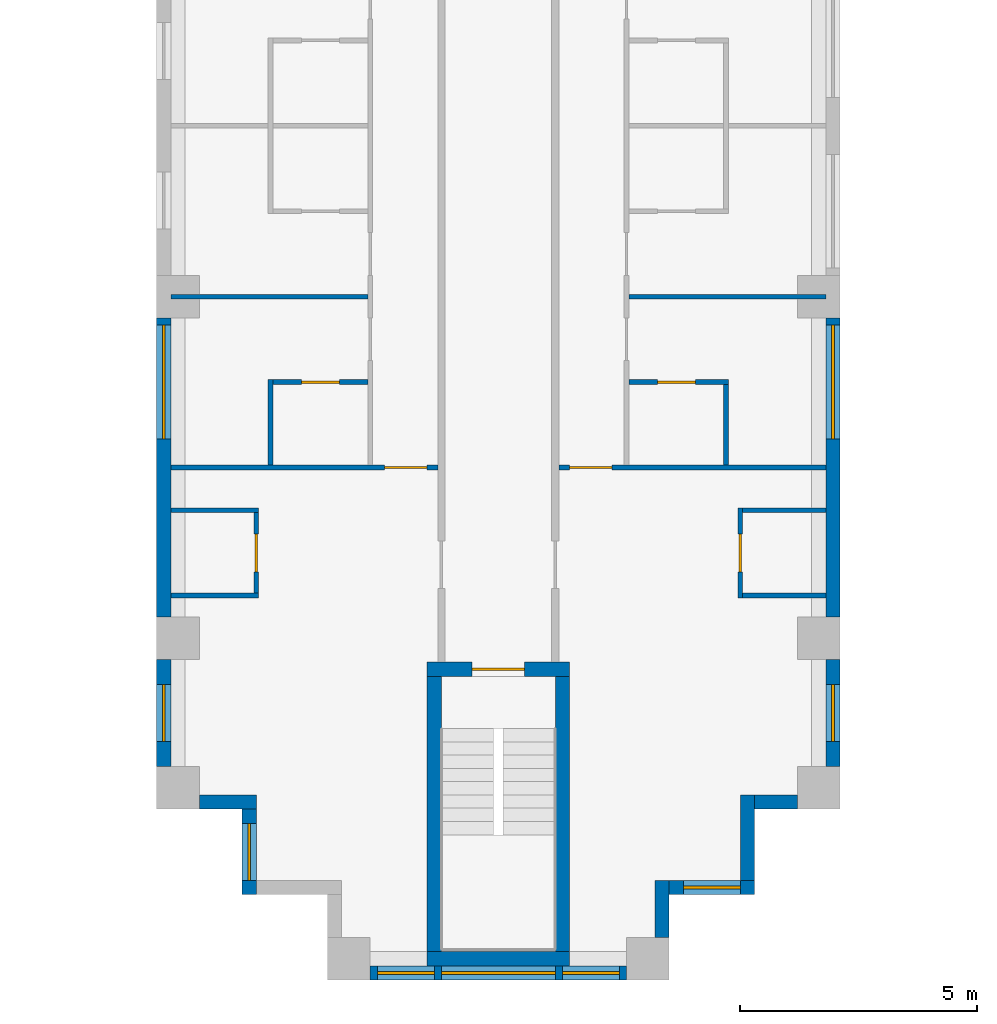
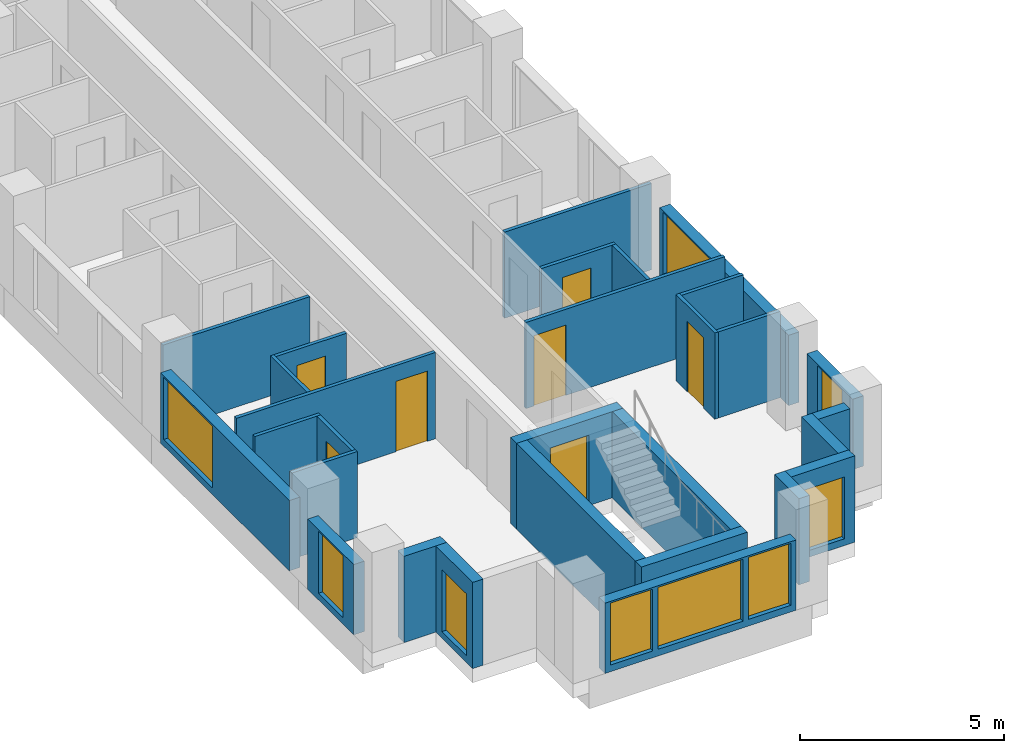
# One storey, part 3 of 14: 29 walls, 9 windows, 7 doors, 16 openings.
"""IFC4 building model written with IfcOpenShell, lengths in metres."""

from ifc_helpers import new_model, si_unit, direction, frame, frame_2d, origin, place, context, subcontext, project, spatial, rectangle, extrude, material, layer, layer_set, type_object, element, fill, save


model = new_model("IFC4")

# Units and contexts
model_context = context("Model", 3, precision=1e-05, world=origin(), true_north=direction((0.0, 1.0)))
body_context = subcontext(model_context, "Body", "Model", "MODEL_VIEW")
ifc_project = project(units=[si_unit("LENGTHUNIT", "METRE"), si_unit("AREAUNIT", "SQUARE_METRE"), si_unit("VOLUMEUNIT", "CUBIC_METRE"), si_unit("PLANEANGLEUNIT", "RADIAN"), si_unit("MASSUNIT", "GRAM", prefix="KILO")], contexts=[model_context])

# Site, building, storey
site_placement = place(None, origin())
site = spatial("IfcSite", under=ifc_project, at=site_placement, CompositionType="ELEMENT")
building_placement = place(site_placement, origin())
building = spatial("IfcBuilding", under=site, at=building_placement, Name="Fustian Cross Tower", CompositionType="ELEMENT")
storey_placement = place(building_placement, frame((0.0, 0.0, 99.89990234375)))
storey = spatial("IfcBuildingStorey", under=building, at=storey_placement, Name="L31", CompositionType="ELEMENT", Elevation=99.89990234375)

# Walls
ifc_material_1 = material(Name="Plasterboard on steel stud", Category="steel")
ifc_layer_1 = layer(ifc_material_1, 0.10009765625)
ifc_layer_set_1 = layer_set([ifc_layer_1], Name="Plasterboard on steel stud")
wall_type_1 = type_object("IfcWallType", Name="PARTITION 100 STUD", PredefinedType="PARTITIONING", material=ifc_layer_set_1)
for number, where, z_axis, x_axis, name in (
    (1, (-6.89990234375, -35.10009765625, 0.0), (0.0, 0.0, 1.0), (1.0, 0.0, 0.0), "Partition 15"),
    (2, (-6.89990234375, -33.300048828125, 0.0), (0.0, 0.0, 1.0), (1.0, 0.0, 0.0), "Partition 16"),
):
    element("IfcWall", number, at=place(storey_placement, frame(where, z_axis=z_axis, x_axis=x_axis)), inside=storey, type_object=wall_type_1, Name=name, PredefinedType="PARTITIONING", context=body_context, shape_type="SweptSolid", body=[
        extrude(rectangle(XDim=1.849853515625, YDim=0.10009765625, at=frame_2d((0.9248046875, 0.0))), origin(), (0.0, 0.0, 1.0), 2.5751953125),
    ])

# Wall, opening, door
wall_1_placement = place(storey_placement, frame((-6.89990234375, -32.39990234375, 0.0), z_axis=(0.0, 0.0, 1.0), x_axis=(1.0, 0.0, 0.0)))
wall_1 = element("IfcWall", 3, at=wall_1_placement, inside=storey, type_object=wall_type_1, Name="Partition 17", PredefinedType="PARTITIONING", context=body_context, shape_type="SweptSolid", body=[
    extrude(rectangle(XDim=5.625, YDim=0.10009765625, at=frame_2d((2.8125, 0.0))), origin(), (0.0, 0.0, 1.0), 2.5751953125),
])
opening_1_placement = place(wall_1_placement, frame((4.5, 0.0, 0.0)))
opening_1 = element("IfcOpeningElement", 4, at=opening_1_placement, cuts=wall_1, Name="Opening D14058", PredefinedType="OPENING", context=body_context, shape_type="SweptSolid", body=[
    extrude(rectangle(XDim=0.89990234375, YDim=2.10009765625, at=frame_2d((0.449951171875, 1.050048828125))), frame((0.0, 0.06005859375, 0.0), z_axis=(0.0, -1.0, 0.0), x_axis=(1.0, 0.0, 0.0)), (0.0, 0.0, 1.0), 0.1201171875),
])
ifc_material_2 = material(Name="Painted timber", Category="wood")
door_type_1 = type_object("IfcDoorType", Name="SWING DOOR 900", OperationType="SINGLE_SWING_LEFT", PredefinedType="DOOR", material=ifc_material_2)
door_1_placement = place(opening_1_placement, origin())
door_1 = element("IfcDoor", 5, at=door_1_placement, inside=storey, type_object=door_type_1, Name="Door D14058", OperationType="SINGLE_SWING_LEFT", OverallHeight=2.10009765625, OverallWidth=0.89990234375, PredefinedType="DOOR", context=body_context, shape_type="SweptSolid", body=[
    extrude(rectangle(XDim=0.89990234375, YDim=2.10009765625, at=frame_2d((0.449951171875, 1.050048828125))), frame((0.0, 0.02490234375, 0.0), z_axis=(0.0, -1.0, 0.0), x_axis=(1.0, 0.0, 0.0)), (0.0, 0.0, 1.0), 0.050048828125),
])
fill(opening_1, door_1)

# Wall
wall_2_placement = place(storey_placement, frame((-6.89990234375, -28.800048828125, 0.0), z_axis=(0.0, 0.0, 1.0), x_axis=(1.0, 0.0, 0.0)))
element("IfcWall", 6, at=wall_2_placement, inside=storey, type_object=wall_type_1, Name="Partition 18", PredefinedType="PARTITIONING", context=body_context, shape_type="SweptSolid", body=[
    extrude(rectangle(XDim=4.14990234375, YDim=0.10009765625, at=frame_2d((2.074951171875, 0.0))), origin(), (0.0, 0.0, 1.0), 2.5751953125),
])

# Wall, opening, door
wall_3_placement = place(storey_placement, frame((-5.10009765625, -35.050048828125, 0.0), z_axis=(0.0, 0.0, 1.0), x_axis=(0.0, 1.0, 0.0)))
wall_3 = element("IfcWall", 7, at=wall_3_placement, inside=storey, type_object=wall_type_1, Name="Partition 23", PredefinedType="PARTITIONING", context=body_context, shape_type="SweptSolid", body=[
    extrude(rectangle(XDim=1.699951171875, YDim=0.10009765625, at=frame_2d((0.85009765625, 0.0))), origin(), (0.0, 0.0, 1.0), 2.5751953125),
])
opening_2_placement = place(wall_3_placement, frame((0.449951171875, 0.0, 0.0)))
opening_2 = element("IfcOpeningElement", 8, at=opening_2_placement, cuts=wall_3, Name="Opening D14051", PredefinedType="OPENING", context=body_context, shape_type="SweptSolid", body=[
    extrude(rectangle(XDim=0.800048828125, YDim=2.10009765625, at=frame_2d((0.39990234375, 1.050048828125))), frame((0.0, 0.06005859375, 0.0), z_axis=(0.0, -1.0, 0.0), x_axis=(1.0, 0.0, 0.0)), (0.0, 0.0, 1.0), 0.1201171875),
])
ifc_material_3 = material(Name="Painted timber", Category="wood")
door_type_2 = type_object("IfcDoorType", Name="SWING DOOR 800", OperationType="SINGLE_SWING_LEFT", PredefinedType="DOOR", material=ifc_material_3)
door_2_placement = place(opening_2_placement, origin())
door_2 = element("IfcDoor", 9, at=door_2_placement, inside=storey, type_object=door_type_2, Name="Door D14051", OperationType="SINGLE_SWING_RIGHT", OverallHeight=2.10009765625, OverallWidth=0.800048828125, PredefinedType="DOOR", context=body_context, shape_type="SweptSolid", body=[
    extrude(rectangle(XDim=0.800048828125, YDim=2.10009765625, at=frame_2d((0.39990234375, 1.050048828125))), frame((0.0, 0.02490234375, 0.0), z_axis=(0.0, -1.0, 0.0), x_axis=(1.0, 0.0, 0.0)), (0.0, 0.0, 1.0), 0.050048828125),
])
fill(opening_2, door_2)

# Wall
wall_4_placement = place(storey_placement, frame((-4.800048828125, -32.35009765625, 0.0), z_axis=(0.0, 0.0, 1.0), x_axis=(0.0, 1.0, 0.0)))
element("IfcWall", 10, at=wall_4_placement, inside=storey, type_object=wall_type_1, Name="Partition 24", PredefinedType="PARTITIONING", context=body_context, shape_type="SweptSolid", body=[
    extrude(rectangle(XDim=1.800048828125, YDim=0.10009765625, at=frame_2d((0.89990234375, 0.0))), origin(), (0.0, 0.0, 1.0), 2.5751953125),
])

# Wall, opening, door
wall_5_placement = place(storey_placement, frame((-4.75, -30.60009765625, 0.0), z_axis=(0.0, 0.0, 1.0), x_axis=(1.0, 0.0, 0.0)))
wall_5 = element("IfcWall", 11, at=wall_5_placement, inside=storey, type_object=wall_type_1, Name="Partition 25", PredefinedType="PARTITIONING", context=body_context, shape_type="SweptSolid", body=[
    extrude(rectangle(XDim=2.0, YDim=0.10009765625, at=frame_2d((1.0, 0.0))), origin(), (0.0, 0.0, 1.0), 2.5751953125),
])
opening_3_placement = place(wall_5_placement, frame((0.60009765625, 0.0, 0.0)))
opening_3 = element("IfcOpeningElement", 12, at=opening_3_placement, cuts=wall_5, Name="Opening D14063", PredefinedType="OPENING", context=body_context, shape_type="SweptSolid", body=[
    extrude(rectangle(XDim=0.800048828125, YDim=2.10009765625, at=frame_2d((0.39990234375, 1.050048828125))), frame((0.0, 0.06005859375, 0.0), z_axis=(0.0, -1.0, 0.0), x_axis=(1.0, 0.0, 0.0)), (0.0, 0.0, 1.0), 0.1201171875),
])
door_3_placement = place(opening_3_placement, frame((0.800048828125, 0.0, 0.0), z_axis=(0.0, 0.0, 1.0), x_axis=(-1.0, 0.0, 0.0)))
door_3 = element("IfcDoor", 13, at=door_3_placement, inside=storey, type_object=door_type_2, Name="Door D14063", OperationType="SINGLE_SWING_RIGHT", OverallHeight=2.10009765625, OverallWidth=0.800048828125, PredefinedType="DOOR", context=body_context, shape_type="SweptSolid", body=[
    extrude(rectangle(XDim=0.800048828125, YDim=2.10009765625, at=frame_2d((0.39990234375, 1.050048828125))), frame((0.0, 0.02490234375, 0.0), z_axis=(0.0, -1.0, 0.0), x_axis=(1.0, 0.0, 0.0)), (0.0, 0.0, 1.0), 0.050048828125),
])
fill(opening_3, door_3)

wall_6_placement = place(storey_placement, frame((1.27490234375, -32.39990234375, 0.0), z_axis=(0.0, 0.0, 1.0), x_axis=(1.0, 0.0, 0.0)))
wall_6 = element("IfcWall", 14, at=wall_6_placement, inside=storey, type_object=wall_type_1, Name="Partition 44", PredefinedType="PARTITIONING", context=body_context, shape_type="SweptSolid", body=[
    extrude(rectangle(XDim=5.625, YDim=0.10009765625, at=frame_2d((2.8125, 0.0))), origin(), (0.0, 0.0, 1.0), 2.5751953125),
])
opening_4_placement = place(wall_6_placement, frame((0.22509765625, 0.0, 0.0)))
opening_4 = element("IfcOpeningElement", 15, at=opening_4_placement, cuts=wall_6, Name="Opening D14039", PredefinedType="OPENING", context=body_context, shape_type="SweptSolid", body=[
    extrude(rectangle(XDim=0.89990234375, YDim=2.10009765625, at=frame_2d((0.449951171875, 1.050048828125))), frame((0.0, 0.06005859375, 0.0), z_axis=(0.0, -1.0, 0.0), x_axis=(1.0, 0.0, 0.0)), (0.0, 0.0, 1.0), 0.1201171875),
])
door_4_placement = place(opening_4_placement, origin())
door_4 = element("IfcDoor", 16, at=door_4_placement, inside=storey, type_object=door_type_1, Name="Door D14039", OperationType="SINGLE_SWING_LEFT", OverallHeight=2.10009765625, OverallWidth=0.89990234375, PredefinedType="DOOR", context=body_context, shape_type="SweptSolid", body=[
    extrude(rectangle(XDim=0.89990234375, YDim=2.10009765625, at=frame_2d((0.449951171875, 1.050048828125))), frame((0.0, 0.02490234375, 0.0), z_axis=(0.0, -1.0, 0.0), x_axis=(1.0, 0.0, 0.0)), (0.0, 0.0, 1.0), 0.050048828125),
])
fill(opening_4, door_4)

wall_7_placement = place(storey_placement, frame((2.75, -30.60009765625, 0.0), z_axis=(0.0, 0.0, 1.0), x_axis=(1.0, 0.0, 0.0)))
wall_7 = element("IfcWall", 17, at=wall_7_placement, inside=storey, type_object=wall_type_1, Name="Partition 57", PredefinedType="PARTITIONING", context=body_context, shape_type="SweptSolid", body=[
    extrude(rectangle(XDim=2.10009765625, YDim=0.10009765625, at=frame_2d((1.050048828125, 0.0))), origin(), (0.0, 0.0, 1.0), 2.5751953125),
])
opening_5_placement = place(wall_7_placement, frame((0.60009765625, 0.0, 0.0)))
opening_5 = element("IfcOpeningElement", 18, at=opening_5_placement, cuts=wall_7, Name="Opening D14049", PredefinedType="OPENING", context=body_context, shape_type="SweptSolid", body=[
    extrude(rectangle(XDim=0.800048828125, YDim=2.10009765625, at=frame_2d((0.39990234375, 1.050048828125))), frame((0.0, 0.06005859375, 0.0), z_axis=(0.0, -1.0, 0.0), x_axis=(1.0, 0.0, 0.0)), (0.0, 0.0, 1.0), 0.1201171875),
])
door_5_placement = place(opening_5_placement, frame((0.800048828125, 0.0, 0.0), z_axis=(0.0, 0.0, 1.0), x_axis=(-1.0, 0.0, 0.0)))
door_5 = element("IfcDoor", 19, at=door_5_placement, inside=storey, type_object=door_type_2, Name="Door D14049", OperationType="SINGLE_SWING_RIGHT", OverallHeight=2.10009765625, OverallWidth=0.800048828125, PredefinedType="DOOR", context=body_context, shape_type="SweptSolid", body=[
    extrude(rectangle(XDim=0.800048828125, YDim=2.10009765625, at=frame_2d((0.39990234375, 1.050048828125))), frame((0.0, 0.02490234375, 0.0), z_axis=(0.0, -1.0, 0.0), x_axis=(1.0, 0.0, 0.0)), (0.0, 0.0, 1.0), 0.050048828125),
])
fill(opening_5, door_5)

# Walls
wall_8_placement = place(storey_placement, frame((2.75, -28.800048828125, 0.0), z_axis=(0.0, 0.0, 1.0), x_axis=(1.0, 0.0, 0.0)))
element("IfcWall", 20, at=wall_8_placement, inside=storey, type_object=wall_type_1, Name="Partition 58", PredefinedType="PARTITIONING", context=body_context, shape_type="SweptSolid", body=[
    extrude(rectangle(XDim=4.14990234375, YDim=0.10009765625, at=frame_2d((2.074951171875, 0.0))), origin(), (0.0, 0.0, 1.0), 2.5751953125),
])
wall_9_placement = place(storey_placement, frame((4.800048828125, -32.35009765625, 0.0), z_axis=(0.0, 0.0, 1.0), x_axis=(0.0, 1.0, 0.0)))
element("IfcWall", 21, at=wall_9_placement, inside=storey, type_object=wall_type_1, Name="Partition 69", PredefinedType="PARTITIONING", context=body_context, shape_type="SweptSolid", body=[
    extrude(rectangle(XDim=1.7001953125, YDim=0.10009765625, at=frame_2d((0.85009765625, 0.0))), origin(), (0.0, 0.0, 1.0), 2.5751953125),
])

# Wall, opening, door
wall_10_placement = place(storey_placement, frame((5.10009765625, -35.14990234375, 0.0), z_axis=(0.0, 0.0, 1.0), x_axis=(0.0, 1.0, 0.0)))
wall_10 = element("IfcWall", 22, at=wall_10_placement, inside=storey, type_object=wall_type_1, Name="Partition 73", PredefinedType="PARTITIONING", context=body_context, shape_type="SweptSolid", body=[
    extrude(rectangle(XDim=1.89990234375, YDim=0.10009765625, at=frame_2d((0.949951171875, 0.0))), origin(), (0.0, 0.0, 1.0), 2.5751953125),
])
opening_6_placement = place(wall_10_placement, frame((0.550048828125, 0.0, 0.0)))
opening_6 = element("IfcOpeningElement", 23, at=opening_6_placement, cuts=wall_10, Name="Opening D14037", PredefinedType="OPENING", context=body_context, shape_type="SweptSolid", body=[
    extrude(rectangle(XDim=0.800048828125, YDim=2.10009765625, at=frame_2d((0.39990234375, 1.050048828125))), frame((0.0, 0.06005859375, 0.0), z_axis=(0.0, -1.0, 0.0), x_axis=(1.0, 0.0, 0.0)), (0.0, 0.0, 1.0), 0.1201171875),
])
door_6_placement = place(opening_6_placement, frame((0.800048828125, 0.0, 0.0), z_axis=(0.0, 0.0, 1.0), x_axis=(-1.0, 0.0, 0.0)))
door_6 = element("IfcDoor", 24, at=door_6_placement, inside=storey, type_object=door_type_2, Name="Door D14037", OperationType="SINGLE_SWING_LEFT", OverallHeight=2.10009765625, OverallWidth=0.800048828125, PredefinedType="DOOR", context=body_context, shape_type="SweptSolid", body=[
    extrude(rectangle(XDim=0.800048828125, YDim=2.10009765625, at=frame_2d((0.39990234375, 1.050048828125))), frame((0.0, 0.02490234375, 0.0), z_axis=(0.0, -1.0, 0.0), x_axis=(1.0, 0.0, 0.0)), (0.0, 0.0, 1.0), 0.050048828125),
])
fill(opening_6, door_6)

# Walls
for number, where, z_axis, x_axis, name in (
    (25, (5.14990234375, -35.10009765625, 0.0), (0.0, 0.0, 1.0), (1.0, 0.0, 0.0), "Partition 74"),
    (26, (5.14990234375, -33.300048828125, 0.0), (0.0, 0.0, 1.0), (1.0, 0.0, 0.0), "Partition 75"),
):
    element("IfcWall", number, at=place(storey_placement, frame(where, z_axis=z_axis, x_axis=x_axis)), inside=storey, type_object=wall_type_1, Name=name, PredefinedType="PARTITIONING", context=body_context, shape_type="SweptSolid", body=[
        extrude(rectangle(XDim=1.75, YDim=0.10009765625, at=frame_2d((0.875, 0.0))), origin(), (0.0, 0.0, 1.0), 2.5751953125),
    ])

# Wall, opening, door
ifc_material_4 = material(Name="Concrete C50/60", Category="concrete")
ifc_layer_2 = layer(ifc_material_4, 0.300048828125)
ifc_layer_set_2 = layer_set([ifc_layer_2], Name="Concrete C50/60")
wall_type_2 = type_object("IfcWallType", Name="STAIR ENCLOSURE WALL 300 C50/60", PredefinedType="SHEAR", material=ifc_layer_set_2)
wall_11_placement = place(storey_placement, frame((-1.5, -36.64990234375, 0.0), z_axis=(0.0, 0.0, 1.0), x_axis=(1.0, 0.0, 0.0)))
wall_11 = element("IfcWall", 27, at=wall_11_placement, inside=storey, type_object=wall_type_2, Name="Stair enclosure wall", PredefinedType="SHEAR", context=body_context, shape_type="SweptSolid", body=[
    extrude(rectangle(XDim=3.0, YDim=0.300048828125, at=frame_2d((1.5, 0.0))), origin(), (0.0, 0.0, 1.0), 2.5751953125),
])
opening_7_placement = place(wall_11_placement, frame((0.949951171875, 0.0, 0.0)))
opening_7 = element("IfcOpeningElement", 28, at=opening_7_placement, cuts=wall_11, Name="Opening CD-09-29", PredefinedType="OPENING", context=body_context, shape_type="SweptSolid", body=[
    extrude(rectangle(XDim=1.10009765625, YDim=2.10009765625, at=frame_2d((0.550048828125, 1.050048828125))), frame((0.0, 0.159912109375, 0.0), z_axis=(0.0, -1.0, 0.0), x_axis=(1.0, 0.0, 0.0)), (0.0, 0.0, 1.0), 0.320068359375),
])
ifc_material_5 = material(Name="Steel", Category="steel")
door_type_3 = type_object("IfcDoorType", Name="FIRE DOOR FD60S 1100X2100", OperationType="SINGLE_SWING_LEFT", PredefinedType="DOOR", material=ifc_material_5)
door_7_placement = place(opening_7_placement, frame((1.10009765625, 0.0, 0.0), z_axis=(0.0, 0.0, 1.0), x_axis=(-1.0, 0.0, 0.0)))
door_7 = element("IfcDoor", 29, at=door_7_placement, inside=storey, type_object=door_type_3, Name="Core door CD-09-29", OperationType="SINGLE_SWING_RIGHT", OverallHeight=2.10009765625, OverallWidth=1.10009765625, PredefinedType="DOOR", context=body_context, shape_type="SweptSolid", body=[
    extrude(rectangle(XDim=1.10009765625, YDim=2.10009765625, at=frame_2d((0.550048828125, 1.050048828125))), frame((0.0, 0.02490234375, 0.0), z_axis=(0.0, -1.0, 0.0), x_axis=(1.0, 0.0, 0.0)), (0.0, 0.0, 1.0), 0.050048828125),
])
fill(opening_7, door_7)

# Walls
wall_12_placement = place(storey_placement, frame((-1.5, -42.75, 0.0), z_axis=(0.0, 0.0, 1.0), x_axis=(1.0, 0.0, 0.0)))
element("IfcWall", 30, at=wall_12_placement, inside=storey, type_object=wall_type_2, Name="Stair enclosure wall", PredefinedType="SHEAR", context=body_context, shape_type="SweptSolid", body=[
    extrude(rectangle(XDim=3.0, YDim=0.300048828125, at=frame_2d((1.5, 0.0))), origin(), (0.0, 0.0, 1.0), 2.5751953125),
])
for number, where, z_axis, x_axis, name in (
    (31, (-1.35009765625, -36.800048828125, 0.0), (0.0, 0.0, 1.0), (0.0, -1.0, 0.0), "Stair enclosure wall"),
    (32, (1.35009765625, -36.800048828125, 0.0), (0.0, 0.0, 1.0), (0.0, -1.0, 0.0), "Stair enclosure wall"),
):
    element("IfcWall", number, at=place(storey_placement, frame(where, z_axis=z_axis, x_axis=x_axis)), inside=storey, type_object=wall_type_2, Name=name, PredefinedType="SHEAR", context=body_context, shape_type="SweptSolid", body=[
        extrude(rectangle(XDim=5.800048828125, YDim=0.300048828125, at=frame_2d((2.89990234375, 0.0))), origin(), (0.0, 0.0, 1.0), 2.5751953125),
    ])

# Wall, opening, window
ifc_material_6 = material(Name="Dark aluminium cladding on insulated backing wall", Category="aluminium")
ifc_layer_3 = layer(ifc_material_6, 0.300048828125)
ifc_layer_set_3 = layer_set([ifc_layer_3], Name="Dark aluminium cladding on insulated backing wall")
wall_type_3 = type_object("IfcWallType", Name="XW1 EXTERNAL WALL 300", PredefinedType="SOLIDWALL", material=ifc_layer_set_3)
wall_13_placement = place(storey_placement, frame((-7.050048828125, -29.25, 0.0), z_axis=(0.0, 0.0, 1.0), x_axis=(0.0, -1.0, 0.0)))
wall_13 = element("IfcWall", 33, at=wall_13_placement, inside=storey, type_object=wall_type_3, Name="External wall", PredefinedType="SOLIDWALL", context=body_context, shape_type="SweptSolid", body=[
    extrude(rectangle(XDim=6.300048828125, YDim=0.300048828125, at=frame_2d((3.14990234375, 0.0))), origin(), (0.0, 0.0, 1.0), 2.10009765625),
])
opening_8_placement = place(wall_13_placement, frame((0.14990234375, 0.0, 0.199951171875)))
opening_8 = element("IfcOpeningElement", 34, at=opening_8_placement, cuts=wall_13, Name="Opening WN1", PredefinedType="OPENING", context=body_context, shape_type="SweptSolid", body=[
    extrude(rectangle(XDim=2.39990234375, YDim=1.85009765625, at=frame_2d((1.199951171875, 0.925048828125))), frame((0.0, 0.159912109375, 0.0), z_axis=(0.0, -1.0, 0.0), x_axis=(1.0, 0.0, 0.0)), (0.0, 0.0, 1.0), 0.320068359375),
])
ifc_material_7 = material(Name="Dark anodised aluminium and double glazing", Category="aluminium")
window_type_1 = type_object("IfcWindowType", Name="WN1 WINDOW 2400X1850", PartitioningType="SINGLE_PANEL", PredefinedType="WINDOW", material=ifc_material_7)
window_1_placement = place(opening_8_placement, origin())
window_1 = element("IfcWindow", 35, at=window_1_placement, inside=storey, type_object=window_type_1, Name="Window", OverallHeight=1.85009765625, OverallWidth=2.39990234375, PartitioningType="SINGLE_PANEL", PredefinedType="WINDOW", context=body_context, shape_type="SweptSolid", body=[
    extrude(rectangle(XDim=2.39990234375, YDim=1.85009765625, at=frame_2d((1.199951171875, 0.925048828125))), frame((0.0, 0.030029296875, 0.0), z_axis=(0.0, -1.0, 0.0), x_axis=(1.0, 0.0, 0.0)), (0.0, 0.0, 1.0), 0.06005859375),
])
fill(opening_8, window_1)

wall_14_placement = place(storey_placement, frame((-7.050048828125, -36.449951171875, 0.0), z_axis=(0.0, 0.0, 1.0), x_axis=(0.0, -1.0, 0.0)))
wall_14 = element("IfcWall", 36, at=wall_14_placement, inside=storey, type_object=wall_type_3, Name="External wall", PredefinedType="SOLIDWALL", context=body_context, shape_type="SweptSolid", body=[
    extrude(rectangle(XDim=2.25, YDim=0.300048828125, at=frame_2d((1.125, 0.0))), origin(), (0.0, 0.0, 1.0), 2.10009765625),
])
opening_9_placement = place(wall_14_placement, frame((0.52490234375, 0.0, 0.199951171875)))
opening_9 = element("IfcOpeningElement", 37, at=opening_9_placement, cuts=wall_14, Name="Opening WN3", PredefinedType="OPENING", context=body_context, shape_type="SweptSolid", body=[
    extrude(rectangle(XDim=1.199951171875, YDim=1.85009765625, at=frame_2d((0.60009765625, 0.925048828125))), frame((0.0, 0.159912109375, 0.0), z_axis=(0.0, -1.0, 0.0), x_axis=(1.0, 0.0, 0.0)), (0.0, 0.0, 1.0), 0.320068359375),
])
ifc_material_8 = material(Name="Dark anodised aluminium and double glazing", Category="aluminium")
window_type_2 = type_object("IfcWindowType", Name="WN3 WINDOW 1200X1850", PartitioningType="SINGLE_PANEL", PredefinedType="WINDOW", material=ifc_material_8)
window_2_placement = place(opening_9_placement, origin())
window_2 = element("IfcWindow", 38, at=window_2_placement, inside=storey, type_object=window_type_2, Name="Window", OverallHeight=1.85009765625, OverallWidth=1.199951171875, PartitioningType="SINGLE_PANEL", PredefinedType="WINDOW", context=body_context, shape_type="SweptSolid", body=[
    extrude(rectangle(XDim=1.199951171875, YDim=1.85009765625, at=frame_2d((0.60009765625, 0.925048828125))), frame((0.0, 0.030029296875, 0.0), z_axis=(0.0, -1.0, 0.0), x_axis=(1.0, 0.0, 0.0)), (0.0, 0.0, 1.0), 0.06005859375),
])
fill(opening_9, window_2)

# Wall
wall_15_placement = place(storey_placement, frame((-6.300048828125, -39.449951171875, 0.0), z_axis=(0.0, 0.0, 1.0), x_axis=(1.0, 0.0, 0.0)))
element("IfcWall", 39, at=wall_15_placement, inside=storey, type_object=wall_type_3, Name="External wall", PredefinedType="SOLIDWALL", context=body_context, shape_type="SweptSolid", body=[
    extrude(rectangle(XDim=1.199951171875, YDim=0.300048828125, at=frame_2d((0.60009765625, 0.0))), origin(), (0.0, 0.0, 1.0), 2.5751953125),
])

# Wall, opening, window
wall_16_placement = place(storey_placement, frame((-5.25, -39.60009765625, 0.0), z_axis=(0.0, 0.0, 1.0), x_axis=(0.0, -1.0, 0.0)))
wall_16 = element("IfcWall", 40, at=wall_16_placement, inside=storey, type_object=wall_type_3, Name="External wall", PredefinedType="SOLIDWALL", context=body_context, shape_type="SweptSolid", body=[
    extrude(rectangle(XDim=1.7998046875, YDim=0.300048828125, at=frame_2d((0.89990234375, 0.0))), origin(), (0.0, 0.0, 1.0), 2.5751953125),
])
opening_10_placement = place(wall_16_placement, frame((0.300048828125, 0.0, 0.199951171875)))
opening_10 = element("IfcOpeningElement", 41, at=opening_10_placement, cuts=wall_16, Name="Opening WN3", PredefinedType="OPENING", context=body_context, shape_type="SweptSolid", body=[
    extrude(rectangle(XDim=1.199951171875, YDim=1.85009765625, at=frame_2d((0.60009765625, 0.925048828125))), frame((0.0, 0.159912109375, 0.0), z_axis=(0.0, -1.0, 0.0), x_axis=(1.0, 0.0, 0.0)), (0.0, 0.0, 1.0), 0.320068359375),
])
window_3_placement = place(opening_10_placement, origin())
window_3 = element("IfcWindow", 42, at=window_3_placement, inside=storey, type_object=window_type_2, Name="Window", OverallHeight=1.85009765625, OverallWidth=1.199951171875, PartitioningType="SINGLE_PANEL", PredefinedType="WINDOW", context=body_context, shape_type="SweptSolid", body=[
    extrude(rectangle(XDim=1.199951171875, YDim=1.85009765625, at=frame_2d((0.60009765625, 0.925048828125))), frame((0.0, 0.030029296875, 0.0), z_axis=(0.0, -1.0, 0.0), x_axis=(1.0, 0.0, 0.0)), (0.0, 0.0, 1.0), 0.06005859375),
])
fill(opening_10, window_3)

# Wall, openings, windows
wall_17_placement = place(storey_placement, frame((-2.699951171875, -43.050048828125, 0.0), z_axis=(0.0, 0.0, 1.0), x_axis=(1.0, 0.0, 0.0)))
wall_17 = element("IfcWall", 43, at=wall_17_placement, inside=storey, type_object=wall_type_3, Name="External wall", PredefinedType="SOLIDWALL", context=body_context, shape_type="SweptSolid", body=[
    extrude(rectangle(XDim=5.39990234375, YDim=0.300048828125, at=frame_2d((2.699951171875, 0.0))), origin(), (0.0, 0.0, 1.0), 2.10009765625),
])
opening_11_placement = place(wall_17_placement, frame((1.5, 0.0, 0.199951171875)))
opening_11 = element("IfcOpeningElement", 44, at=opening_11_placement, cuts=wall_17, Name="Opening WN1", PredefinedType="OPENING", context=body_context, shape_type="SweptSolid", body=[
    extrude(rectangle(XDim=2.39990234375, YDim=1.85009765625, at=frame_2d((1.199951171875, 0.925048828125))), frame((0.0, 0.159912109375, 0.0), z_axis=(0.0, -1.0, 0.0), x_axis=(1.0, 0.0, 0.0)), (0.0, 0.0, 1.0), 0.320068359375),
])
opening_12_placement = place(wall_17_placement, frame((0.14990234375, 0.0, 0.199951171875)))
opening_12 = element("IfcOpeningElement", 45, at=opening_12_placement, cuts=wall_17, Name="Opening WN3", PredefinedType="OPENING", context=body_context, shape_type="SweptSolid", body=[
    extrude(rectangle(XDim=1.199951171875, YDim=1.85009765625, at=frame_2d((0.60009765625, 0.925048828125))), frame((0.0, 0.159912109375, 0.0), z_axis=(0.0, -1.0, 0.0), x_axis=(1.0, 0.0, 0.0)), (0.0, 0.0, 1.0), 0.320068359375),
])
opening_13_placement = place(wall_17_placement, frame((4.050048828125, 0.0, 0.199951171875)))
opening_13 = element("IfcOpeningElement", 46, at=opening_13_placement, cuts=wall_17, Name="Opening WN3", PredefinedType="OPENING", context=body_context, shape_type="SweptSolid", body=[
    extrude(rectangle(XDim=1.199951171875, YDim=1.85009765625, at=frame_2d((0.60009765625, 0.925048828125))), frame((0.0, 0.159912109375, 0.0), z_axis=(0.0, -1.0, 0.0), x_axis=(1.0, 0.0, 0.0)), (0.0, 0.0, 1.0), 0.320068359375),
])
window_4_placement = place(opening_11_placement, origin())
window_4 = element("IfcWindow", 47, at=window_4_placement, inside=storey, type_object=window_type_1, Name="Window", OverallHeight=1.85009765625, OverallWidth=2.39990234375, PartitioningType="SINGLE_PANEL", PredefinedType="WINDOW", context=body_context, shape_type="SweptSolid", body=[
    extrude(rectangle(XDim=2.39990234375, YDim=1.85009765625, at=frame_2d((1.199951171875, 0.925048828125))), frame((0.0, 0.030029296875, 0.0), z_axis=(0.0, -1.0, 0.0), x_axis=(1.0, 0.0, 0.0)), (0.0, 0.0, 1.0), 0.06005859375),
])
fill(opening_11, window_4)
window_5_placement = place(opening_12_placement, origin())
window_5 = element("IfcWindow", 48, at=window_5_placement, inside=storey, type_object=window_type_2, Name="Window", OverallHeight=1.85009765625, OverallWidth=1.199951171875, PartitioningType="SINGLE_PANEL", PredefinedType="WINDOW", context=body_context, shape_type="SweptSolid", body=[
    extrude(rectangle(XDim=1.199951171875, YDim=1.85009765625, at=frame_2d((0.60009765625, 0.925048828125))), frame((0.0, 0.030029296875, 0.0), z_axis=(0.0, -1.0, 0.0), x_axis=(1.0, 0.0, 0.0)), (0.0, 0.0, 1.0), 0.06005859375),
])
fill(opening_12, window_5)
window_6_placement = place(opening_13_placement, origin())
window_6 = element("IfcWindow", 49, at=window_6_placement, inside=storey, type_object=window_type_2, Name="Window", OverallHeight=1.85009765625, OverallWidth=1.199951171875, PartitioningType="SINGLE_PANEL", PredefinedType="WINDOW", context=body_context, shape_type="SweptSolid", body=[
    extrude(rectangle(XDim=1.199951171875, YDim=1.85009765625, at=frame_2d((0.60009765625, 0.925048828125))), frame((0.0, 0.030029296875, 0.0), z_axis=(0.0, -1.0, 0.0), x_axis=(1.0, 0.0, 0.0)), (0.0, 0.0, 1.0), 0.06005859375),
])
fill(opening_13, window_6)

# Wall
wall_18_placement = place(storey_placement, frame((3.449951171875, -42.300048828125, 0.0), z_axis=(0.0, 0.0, 1.0), x_axis=(0.0, 1.0, 0.0)))
element("IfcWall", 50, at=wall_18_placement, inside=storey, type_object=wall_type_3, Name="External wall", PredefinedType="SOLIDWALL", context=body_context, shape_type="SweptSolid", body=[
    extrude(rectangle(XDim=1.199951171875, YDim=0.300048828125, at=frame_2d((0.60009765625, 0.0))), origin(), (0.0, 0.0, 1.0), 2.5751953125),
])

# Wall, opening, window
wall_19_placement = place(storey_placement, frame((3.60009765625, -41.25, 0.0), z_axis=(0.0, 0.0, 1.0), x_axis=(1.0, 0.0, 0.0)))
wall_19 = element("IfcWall", 51, at=wall_19_placement, inside=storey, type_object=wall_type_3, Name="External wall", PredefinedType="SOLIDWALL", context=body_context, shape_type="SweptSolid", body=[
    extrude(rectangle(XDim=1.7998046875, YDim=0.300048828125, at=frame_2d((0.89990234375, 0.0))), origin(), (0.0, 0.0, 1.0), 2.5751953125),
])
opening_14_placement = place(wall_19_placement, frame((0.300048828125, 0.0, 0.199951171875)))
opening_14 = element("IfcOpeningElement", 52, at=opening_14_placement, cuts=wall_19, Name="Opening WN3", PredefinedType="OPENING", context=body_context, shape_type="SweptSolid", body=[
    extrude(rectangle(XDim=1.199951171875, YDim=1.85009765625, at=frame_2d((0.60009765625, 0.925048828125))), frame((0.0, 0.159912109375, 0.0), z_axis=(0.0, -1.0, 0.0), x_axis=(1.0, 0.0, 0.0)), (0.0, 0.0, 1.0), 0.320068359375),
])
window_7_placement = place(opening_14_placement, origin())
window_7 = element("IfcWindow", 53, at=window_7_placement, inside=storey, type_object=window_type_2, Name="Window", OverallHeight=1.85009765625, OverallWidth=1.199951171875, PartitioningType="SINGLE_PANEL", PredefinedType="WINDOW", context=body_context, shape_type="SweptSolid", body=[
    extrude(rectangle(XDim=1.199951171875, YDim=1.85009765625, at=frame_2d((0.60009765625, 0.925048828125))), frame((0.0, 0.030029296875, 0.0), z_axis=(0.0, -1.0, 0.0), x_axis=(1.0, 0.0, 0.0)), (0.0, 0.0, 1.0), 0.06005859375),
])
fill(opening_14, window_7)

# Walls
wall_20_placement = place(storey_placement, frame((5.25, -41.10009765625, 0.0), z_axis=(0.0, 0.0, 1.0), x_axis=(0.0, 1.0, 0.0)))
element("IfcWall", 54, at=wall_20_placement, inside=storey, type_object=wall_type_3, Name="External wall", PredefinedType="SOLIDWALL", context=body_context, shape_type="SweptSolid", body=[
    extrude(rectangle(XDim=1.800048828125, YDim=0.300048828125, at=frame_2d((0.89990234375, 0.0))), origin(), (0.0, 0.0, 1.0), 2.5751953125),
])
wall_21_placement = place(storey_placement, frame((5.39990234375, -39.449951171875, 0.0), z_axis=(0.0, 0.0, 1.0), x_axis=(1.0, 0.0, 0.0)))
element("IfcWall", 55, at=wall_21_placement, inside=storey, type_object=wall_type_3, Name="External wall", PredefinedType="SOLIDWALL", context=body_context, shape_type="SweptSolid", body=[
    extrude(rectangle(XDim=0.900146484375, YDim=0.300048828125, at=frame_2d((0.4501953125, 0.0))), origin(), (0.0, 0.0, 1.0), 2.5751953125),
])

# Wall, opening, window
wall_22_placement = place(storey_placement, frame((7.050048828125, -38.699951171875, 0.0), z_axis=(0.0, 0.0, 1.0), x_axis=(0.0, 1.0, 0.0)))
wall_22 = element("IfcWall", 56, at=wall_22_placement, inside=storey, type_object=wall_type_3, Name="External wall", PredefinedType="SOLIDWALL", context=body_context, shape_type="SweptSolid", body=[
    extrude(rectangle(XDim=2.25, YDim=0.300048828125, at=frame_2d((1.125, 0.0))), origin(), (0.0, 0.0, 1.0), 2.10009765625),
])
opening_15_placement = place(wall_22_placement, frame((0.52490234375, 0.0, 0.199951171875)))
opening_15 = element("IfcOpeningElement", 57, at=opening_15_placement, cuts=wall_22, Name="Opening WN3", PredefinedType="OPENING", context=body_context, shape_type="SweptSolid", body=[
    extrude(rectangle(XDim=1.199951171875, YDim=1.85009765625, at=frame_2d((0.60009765625, 0.925048828125))), frame((0.0, 0.159912109375, 0.0), z_axis=(0.0, -1.0, 0.0), x_axis=(1.0, 0.0, 0.0)), (0.0, 0.0, 1.0), 0.320068359375),
])
window_8_placement = place(opening_15_placement, origin())
window_8 = element("IfcWindow", 58, at=window_8_placement, inside=storey, type_object=window_type_2, Name="Window", OverallHeight=1.85009765625, OverallWidth=1.199951171875, PartitioningType="SINGLE_PANEL", PredefinedType="WINDOW", context=body_context, shape_type="SweptSolid", body=[
    extrude(rectangle(XDim=1.199951171875, YDim=1.85009765625, at=frame_2d((0.60009765625, 0.925048828125))), frame((0.0, 0.030029296875, 0.0), z_axis=(0.0, -1.0, 0.0), x_axis=(1.0, 0.0, 0.0)), (0.0, 0.0, 1.0), 0.06005859375),
])
fill(opening_15, window_8)

wall_23_placement = place(storey_placement, frame((7.050048828125, -35.550048828125, 0.0), z_axis=(0.0, 0.0, 1.0), x_axis=(0.0, 1.0, 0.0)))
wall_23 = element("IfcWall", 59, at=wall_23_placement, inside=storey, type_object=wall_type_3, Name="External wall", PredefinedType="SOLIDWALL", context=body_context, shape_type="SweptSolid", body=[
    extrude(rectangle(XDim=6.300048828125, YDim=0.300048828125, at=frame_2d((3.14990234375, 0.0))), origin(), (0.0, 0.0, 1.0), 2.10009765625),
])
opening_16_placement = place(wall_23_placement, frame((3.75, 0.0, 0.199951171875)))
opening_16 = element("IfcOpeningElement", 60, at=opening_16_placement, cuts=wall_23, Name="Opening WN1", PredefinedType="OPENING", context=body_context, shape_type="SweptSolid", body=[
    extrude(rectangle(XDim=2.39990234375, YDim=1.85009765625, at=frame_2d((1.199951171875, 0.925048828125))), frame((0.0, 0.159912109375, 0.0), z_axis=(0.0, -1.0, 0.0), x_axis=(1.0, 0.0, 0.0)), (0.0, 0.0, 1.0), 0.320068359375),
])
window_9_placement = place(opening_16_placement, origin())
window_9 = element("IfcWindow", 61, at=window_9_placement, inside=storey, type_object=window_type_1, Name="Window", OverallHeight=1.85009765625, OverallWidth=2.39990234375, PartitioningType="SINGLE_PANEL", PredefinedType="WINDOW", context=body_context, shape_type="SweptSolid", body=[
    extrude(rectangle(XDim=2.39990234375, YDim=1.85009765625, at=frame_2d((1.199951171875, 0.925048828125))), frame((0.0, 0.030029296875, 0.0), z_axis=(0.0, -1.0, 0.0), x_axis=(1.0, 0.0, 0.0)), (0.0, 0.0, 1.0), 0.06005859375),
])
fill(opening_16, window_9)

save(model, "model.ifc")
